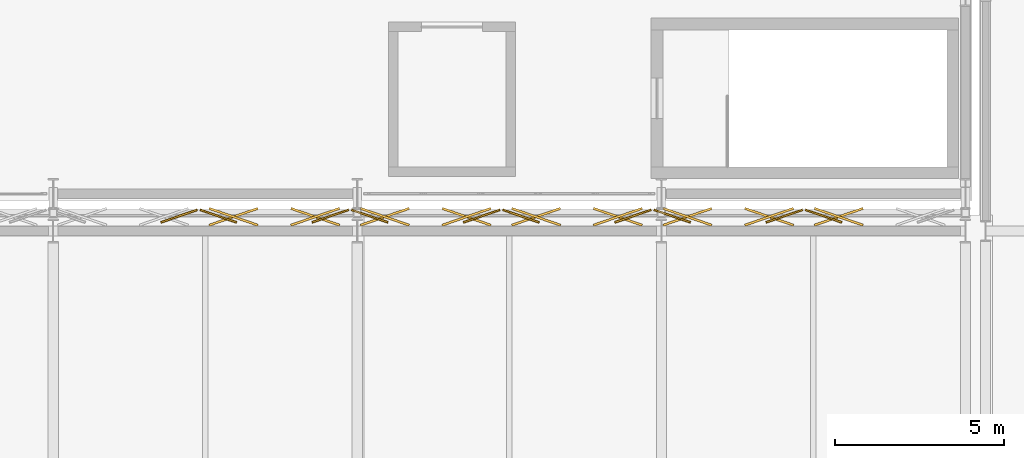
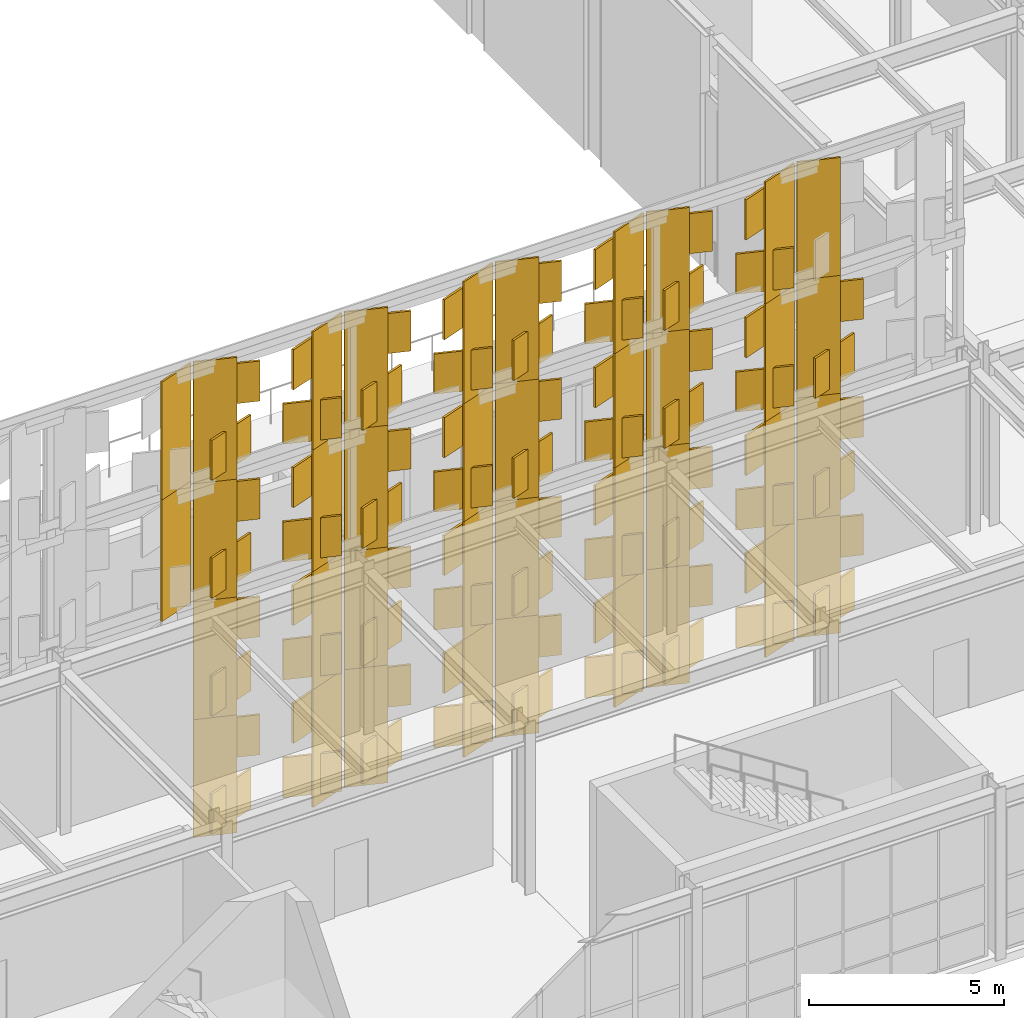
# One storey, part 189 of 210: 108 coverings.
"""IFC4 building model written with IfcOpenShell, lengths in metres."""

from ifc_helpers import new_model, si_unit, direction, frame, origin, origin_2d, place, context, subcontext, project, spatial, rectangle, extrude, material, layer, layer_set, type_object, element, save


model = new_model("IFC4")

# Units and contexts
model_context = context("Model", 3, precision=1e-05, world=origin(), true_north=direction((0.0, 1.0)))
body_context = subcontext(model_context, "Body", "Model", "MODEL_VIEW")
ifc_project = project(units=[si_unit("LENGTHUNIT", "METRE"), si_unit("AREAUNIT", "SQUARE_METRE"), si_unit("VOLUMEUNIT", "CUBIC_METRE"), si_unit("PLANEANGLEUNIT", "RADIAN"), si_unit("MASSUNIT", "GRAM", prefix="KILO")], contexts=[model_context])

# Site, building, storey
site_placement = place(None, origin())
site = spatial("IfcSite", under=ifc_project, at=site_placement, CompositionType="ELEMENT")
building_placement = place(site_placement, origin())
building = spatial("IfcBuilding", under=site, at=building_placement, Name="Kaldris Quays Convention Centre", CompositionType="ELEMENT")
storey_placement = place(building_placement, frame((0.0, 0.0, 6.0)))
storey = spatial("IfcBuildingStorey", under=building, at=storey_placement, Name="L01", CompositionType="ELEMENT", Elevation=6.0)

# Coverings
ifc_material = material(Name="Alabaster white star-pierced anodized aluminium panel", Category="aluminium")
ifc_layer = layer(ifc_material, 0.044921875)
ifc_layer_set = layer_set([ifc_layer], Name="Alabaster white star-pierced anodized aluminium panel")
covering_type = type_object("IfcCoveringType", Name="STAR PIERCED WHITE FOLDED SCREEN CL01", PredefinedType="CLADDING", material=ifc_layer_set)
for number, where, z_axis, x_axis, name in (
    (1, (122.724853515625, 55.340087890625, 5.18994140625), (0.0, 0.0, 1.0), (0.945518575599, 0.325568154457, 0.0), "V1S Folded White Screen Stile 1621"),
    (2, (122.724853515625, 55.340087890625, 8.89013671875), (0.0, 0.0, 1.0), (0.945518575599, 0.325568154457, 0.0), "V1S Folded White Screen Stile 1627"),
    (3, (123.889404296875, 55.340087890625, -2.2099609375), (0.0, 0.0, 1.0), (0.945518575599, -0.325568154457, 0.0), "V1S Folded White Screen Stile 1632"),
    (4, (127.20361328125, 55.340087890625, -2.2099609375), (0.0, 0.0, 1.0), (0.945518575599, 0.325568154457, 0.0), "V1S Folded White Screen Stile 1633"),
):
    element("IfcCovering", number, at=place(storey_placement, frame(where, z_axis=z_axis, x_axis=x_axis)), inside=storey, type_object=covering_type, Name=name, PredefinedType="CLADDING", context=body_context, shape_type="SweptSolid", body=[
        extrude(rectangle(XDim=1.136962890625, YDim=0.054931640625, at=origin_2d()), origin(), (0.0, 0.0, 1.0), 3.820068359375),
    ])
for number, where, z_axis, x_axis, name in (
    (5, (124.337158203125, 55.320068359375, -1.92822265625), (0.0, 0.0, 1.0), (0.945518575599, 0.325568154457, 0.0), "V1S Carved Star Corner Facet 1634"),
    (6, (124.337158203125, 55.320068359375, 0.06982421875), (0.0, 0.0, 1.0), (0.945518575599, -0.325568154457, 0.0), "V1S Carved Star Corner Facet 1635"),
    (7, (126.755615234375, 55.320068359375, -1.92822265625), (0.0, 0.0, 1.0), (0.945518575599, -0.325568154457, 0.0), "V1S Carved Star Corner Facet 1636"),
    (8, (126.755615234375, 55.320068359375, 0.06982421875), (0.0, 0.0, 1.0), (0.945518575599, 0.325568154457, 0.0), "V1S Carved Star Corner Facet 1637"),
):
    element("IfcCovering", number, at=place(storey_placement, frame(where, z_axis=z_axis, x_axis=x_axis)), inside=storey, type_object=covering_type, Name=name, PredefinedType="CLADDING", context=body_context, shape_type="SweptSolid", body=[
        extrude(rectangle(XDim=1.52294921875, YDim=0.06494140625, at=origin_2d()), origin(), (0.0, 0.0, 1.0), 1.258056640625),
    ])
for number, where, z_axis, x_axis, name in (
    (9, (123.889404296875, 55.340087890625, 1.48974609375), (0.0, 0.0, 1.0), (0.945518575599, -0.325568154457, 0.0), "V1S Folded White Screen Stile 1638"),
    (10, (127.20361328125, 55.340087890625, 1.48974609375), (0.0, 0.0, 1.0), (0.945518575599, 0.325568154457, 0.0), "V1S Folded White Screen Stile 1639"),
):
    element("IfcCovering", number, at=place(storey_placement, frame(where, z_axis=z_axis, x_axis=x_axis)), inside=storey, type_object=covering_type, Name=name, PredefinedType="CLADDING", context=body_context, shape_type="SweptSolid", body=[
        extrude(rectangle(XDim=1.136962890625, YDim=0.054931640625, at=origin_2d()), origin(), (0.0, 0.0, 1.0), 3.820068359375),
    ])
for number, where, z_axis, x_axis, name in (
    (11, (124.337158203125, 55.320068359375, 1.77197265625), (0.0, 0.0, 1.0), (0.945518575599, 0.325568154457, 0.0), "V1S Carved Star Corner Facet 1640"),
    (12, (124.337158203125, 55.320068359375, 3.77001953125), (0.0, 0.0, 1.0), (0.945518575599, -0.325568154457, 0.0), "V1S Carved Star Corner Facet 1641"),
    (13, (126.755615234375, 55.320068359375, 1.77197265625), (0.0, 0.0, 1.0), (0.945518575599, -0.325568154457, 0.0), "V1S Carved Star Corner Facet 1642"),
    (14, (126.755615234375, 55.320068359375, 3.77001953125), (0.0, 0.0, 1.0), (0.945518575599, 0.325568154457, 0.0), "V1S Carved Star Corner Facet 1643"),
):
    element("IfcCovering", number, at=place(storey_placement, frame(where, z_axis=z_axis, x_axis=x_axis)), inside=storey, type_object=covering_type, Name=name, PredefinedType="CLADDING", context=body_context, shape_type="SweptSolid", body=[
        extrude(rectangle(XDim=1.52294921875, YDim=0.06494140625, at=origin_2d()), origin(), (0.0, 0.0, 1.0), 1.258056640625),
    ])
for number, where, z_axis, x_axis, name in (
    (15, (123.889404296875, 55.340087890625, 5.18994140625), (0.0, 0.0, 1.0), (0.945518575599, -0.325568154457, 0.0), "V1S Folded White Screen Stile 1644"),
    (16, (127.20361328125, 55.340087890625, 5.18994140625), (0.0, 0.0, 1.0), (0.945518575599, 0.325568154457, 0.0), "V1S Folded White Screen Stile 1645"),
):
    element("IfcCovering", number, at=place(storey_placement, frame(where, z_axis=z_axis, x_axis=x_axis)), inside=storey, type_object=covering_type, Name=name, PredefinedType="CLADDING", context=body_context, shape_type="SweptSolid", body=[
        extrude(rectangle(XDim=1.136962890625, YDim=0.054931640625, at=origin_2d()), origin(), (0.0, 0.0, 1.0), 3.820068359375),
    ])
for number, where, z_axis, x_axis, name in (
    (17, (124.337158203125, 55.320068359375, 5.47216796875), (0.0, 0.0, 1.0), (0.945518575599, 0.325568154457, 0.0), "V1S Carved Star Corner Facet 1646"),
    (18, (124.337158203125, 55.320068359375, 7.47021484375), (0.0, 0.0, 1.0), (0.945518575599, -0.325568154457, 0.0), "V1S Carved Star Corner Facet 1647"),
    (19, (126.755615234375, 55.320068359375, 5.47216796875), (0.0, 0.0, 1.0), (0.945518575599, -0.325568154457, 0.0), "V1S Carved Star Corner Facet 1648"),
    (20, (126.755615234375, 55.320068359375, 7.47021484375), (0.0, 0.0, 1.0), (0.945518575599, 0.325568154457, 0.0), "V1S Carved Star Corner Facet 1649"),
):
    element("IfcCovering", number, at=place(storey_placement, frame(where, z_axis=z_axis, x_axis=x_axis)), inside=storey, type_object=covering_type, Name=name, PredefinedType="CLADDING", context=body_context, shape_type="SweptSolid", body=[
        extrude(rectangle(XDim=1.52294921875, YDim=0.06494140625, at=origin_2d()), origin(), (0.0, 0.0, 1.0), 1.258056640625),
    ])
for number, where, z_axis, x_axis, name in (
    (21, (123.889404296875, 55.340087890625, 8.89013671875), (0.0, 0.0, 1.0), (0.945518575599, -0.325568154457, 0.0), "V1S Folded White Screen Stile 1650"),
    (22, (127.20361328125, 55.340087890625, 8.89013671875), (0.0, 0.0, 1.0), (0.945518575599, 0.325568154457, 0.0), "V1S Folded White Screen Stile 1651"),
):
    element("IfcCovering", number, at=place(storey_placement, frame(where, z_axis=z_axis, x_axis=x_axis)), inside=storey, type_object=covering_type, Name=name, PredefinedType="CLADDING", context=body_context, shape_type="SweptSolid", body=[
        extrude(rectangle(XDim=1.136962890625, YDim=0.054931640625, at=origin_2d()), origin(), (0.0, 0.0, 1.0), 3.820068359375),
    ])
for number, where, z_axis, x_axis, name in (
    (23, (124.337158203125, 55.320068359375, 9.171875), (0.0, 0.0, 1.0), (0.945518575599, 0.325568154457, 0.0), "V1S Carved Star Corner Facet 1652"),
    (24, (124.337158203125, 55.320068359375, 11.169921875), (0.0, 0.0, 1.0), (0.945518575599, -0.325568154457, 0.0), "V1S Carved Star Corner Facet 1653"),
    (25, (126.755615234375, 55.320068359375, 9.171875), (0.0, 0.0, 1.0), (0.945518575599, -0.325568154457, 0.0), "V1S Carved Star Corner Facet 1654"),
    (26, (126.755615234375, 55.320068359375, 11.169921875), (0.0, 0.0, 1.0), (0.945518575599, 0.325568154457, 0.0), "V1S Carved Star Corner Facet 1655"),
):
    element("IfcCovering", number, at=place(storey_placement, frame(where, z_axis=z_axis, x_axis=x_axis)), inside=storey, type_object=covering_type, Name=name, PredefinedType="CLADDING", context=body_context, shape_type="SweptSolid", body=[
        extrude(rectangle(XDim=1.52294921875, YDim=0.06494140625, at=origin_2d()), origin(), (0.0, 0.0, 1.0), 1.258056640625),
    ])
for number, where, z_axis, x_axis, name in (
    (27, (128.367919921875, 55.340087890625, -2.2099609375), (0.0, 0.0, 1.0), (0.945518575599, -0.325568154457, 0.0), "V1S Folded White Screen Stile 1656"),
    (28, (131.68212890625, 55.340087890625, -2.2099609375), (0.0, 0.0, 1.0), (0.945518575599, 0.325568154457, 0.0), "V1S Folded White Screen Stile 1657"),
):
    element("IfcCovering", number, at=place(storey_placement, frame(where, z_axis=z_axis, x_axis=x_axis)), inside=storey, type_object=covering_type, Name=name, PredefinedType="CLADDING", context=body_context, shape_type="SweptSolid", body=[
        extrude(rectangle(XDim=1.136962890625, YDim=0.054931640625, at=origin_2d()), origin(), (0.0, 0.0, 1.0), 3.820068359375),
    ])
for number, where, z_axis, x_axis, name in (
    (29, (128.81591796875, 55.320068359375, -1.92822265625), (0.0, 0.0, 1.0), (0.945518575599, 0.325568154457, 0.0), "V1S Carved Star Corner Facet 1658"),
    (30, (128.81591796875, 55.320068359375, 0.06982421875), (0.0, 0.0, 1.0), (0.945518575599, -0.325568154457, 0.0), "V1S Carved Star Corner Facet 1659"),
    (31, (131.234130859375, 55.320068359375, -1.92822265625), (0.0, 0.0, 1.0), (0.945518575599, -0.325568154457, 0.0), "V1S Carved Star Corner Facet 1660"),
    (32, (131.234130859375, 55.320068359375, 0.06982421875), (0.0, 0.0, 1.0), (0.945518575599, 0.325568154457, 0.0), "V1S Carved Star Corner Facet 1661"),
):
    element("IfcCovering", number, at=place(storey_placement, frame(where, z_axis=z_axis, x_axis=x_axis)), inside=storey, type_object=covering_type, Name=name, PredefinedType="CLADDING", context=body_context, shape_type="SweptSolid", body=[
        extrude(rectangle(XDim=1.52294921875, YDim=0.06494140625, at=origin_2d()), origin(), (0.0, 0.0, 1.0), 1.258056640625),
    ])
for number, where, z_axis, x_axis, name in (
    (33, (128.367919921875, 55.340087890625, 1.48974609375), (0.0, 0.0, 1.0), (0.945518575599, -0.325568154457, 0.0), "V1S Folded White Screen Stile 1662"),
    (34, (131.68212890625, 55.340087890625, 1.48974609375), (0.0, 0.0, 1.0), (0.945518575599, 0.325568154457, 0.0), "V1S Folded White Screen Stile 1663"),
):
    element("IfcCovering", number, at=place(storey_placement, frame(where, z_axis=z_axis, x_axis=x_axis)), inside=storey, type_object=covering_type, Name=name, PredefinedType="CLADDING", context=body_context, shape_type="SweptSolid", body=[
        extrude(rectangle(XDim=1.136962890625, YDim=0.054931640625, at=origin_2d()), origin(), (0.0, 0.0, 1.0), 3.820068359375),
    ])
for number, where, z_axis, x_axis, name in (
    (35, (128.81591796875, 55.320068359375, 1.77197265625), (0.0, 0.0, 1.0), (0.945518575599, 0.325568154457, 0.0), "V1S Carved Star Corner Facet 1664"),
    (36, (128.81591796875, 55.320068359375, 3.77001953125), (0.0, 0.0, 1.0), (0.945518575599, -0.325568154457, 0.0), "V1S Carved Star Corner Facet 1665"),
    (37, (131.234130859375, 55.320068359375, 1.77197265625), (0.0, 0.0, 1.0), (0.945518575599, -0.325568154457, 0.0), "V1S Carved Star Corner Facet 1666"),
    (38, (131.234130859375, 55.320068359375, 3.77001953125), (0.0, 0.0, 1.0), (0.945518575599, 0.325568154457, 0.0), "V1S Carved Star Corner Facet 1667"),
):
    element("IfcCovering", number, at=place(storey_placement, frame(where, z_axis=z_axis, x_axis=x_axis)), inside=storey, type_object=covering_type, Name=name, PredefinedType="CLADDING", context=body_context, shape_type="SweptSolid", body=[
        extrude(rectangle(XDim=1.52294921875, YDim=0.06494140625, at=origin_2d()), origin(), (0.0, 0.0, 1.0), 1.258056640625),
    ])
for number, where, z_axis, x_axis, name in (
    (39, (128.367919921875, 55.340087890625, 5.18994140625), (0.0, 0.0, 1.0), (0.945518575599, -0.325568154457, 0.0), "V1S Folded White Screen Stile 1668"),
    (40, (131.68212890625, 55.340087890625, 5.18994140625), (0.0, 0.0, 1.0), (0.945518575599, 0.325568154457, 0.0), "V1S Folded White Screen Stile 1669"),
):
    element("IfcCovering", number, at=place(storey_placement, frame(where, z_axis=z_axis, x_axis=x_axis)), inside=storey, type_object=covering_type, Name=name, PredefinedType="CLADDING", context=body_context, shape_type="SweptSolid", body=[
        extrude(rectangle(XDim=1.136962890625, YDim=0.054931640625, at=origin_2d()), origin(), (0.0, 0.0, 1.0), 3.820068359375),
    ])
for number, where, z_axis, x_axis, name in (
    (41, (128.81591796875, 55.320068359375, 5.47216796875), (0.0, 0.0, 1.0), (0.945518575599, 0.325568154457, 0.0), "V1S Carved Star Corner Facet 1670"),
    (42, (128.81591796875, 55.320068359375, 7.47021484375), (0.0, 0.0, 1.0), (0.945518575599, -0.325568154457, 0.0), "V1S Carved Star Corner Facet 1671"),
    (43, (131.234130859375, 55.320068359375, 5.47216796875), (0.0, 0.0, 1.0), (0.945518575599, -0.325568154457, 0.0), "V1S Carved Star Corner Facet 1672"),
    (44, (131.234130859375, 55.320068359375, 7.47021484375), (0.0, 0.0, 1.0), (0.945518575599, 0.325568154457, 0.0), "V1S Carved Star Corner Facet 1673"),
):
    element("IfcCovering", number, at=place(storey_placement, frame(where, z_axis=z_axis, x_axis=x_axis)), inside=storey, type_object=covering_type, Name=name, PredefinedType="CLADDING", context=body_context, shape_type="SweptSolid", body=[
        extrude(rectangle(XDim=1.52294921875, YDim=0.06494140625, at=origin_2d()), origin(), (0.0, 0.0, 1.0), 1.258056640625),
    ])
for number, where, z_axis, x_axis, name in (
    (45, (128.367919921875, 55.340087890625, 8.89013671875), (0.0, 0.0, 1.0), (0.945518575599, -0.325568154457, 0.0), "V1S Folded White Screen Stile 1674"),
    (46, (131.68212890625, 55.340087890625, 8.89013671875), (0.0, 0.0, 1.0), (0.945518575599, 0.325568154457, 0.0), "V1S Folded White Screen Stile 1675"),
):
    element("IfcCovering", number, at=place(storey_placement, frame(where, z_axis=z_axis, x_axis=x_axis)), inside=storey, type_object=covering_type, Name=name, PredefinedType="CLADDING", context=body_context, shape_type="SweptSolid", body=[
        extrude(rectangle(XDim=1.136962890625, YDim=0.054931640625, at=origin_2d()), origin(), (0.0, 0.0, 1.0), 3.820068359375),
    ])
for number, where, z_axis, x_axis, name in (
    (47, (128.81591796875, 55.320068359375, 9.171875), (0.0, 0.0, 1.0), (0.945518575599, 0.325568154457, 0.0), "V1S Carved Star Corner Facet 1676"),
    (48, (128.81591796875, 55.320068359375, 11.169921875), (0.0, 0.0, 1.0), (0.945518575599, -0.325568154457, 0.0), "V1S Carved Star Corner Facet 1677"),
    (49, (131.234130859375, 55.320068359375, 9.171875), (0.0, 0.0, 1.0), (0.945518575599, -0.325568154457, 0.0), "V1S Carved Star Corner Facet 1678"),
    (50, (131.234130859375, 55.320068359375, 11.169921875), (0.0, 0.0, 1.0), (0.945518575599, 0.325568154457, 0.0), "V1S Carved Star Corner Facet 1679"),
):
    element("IfcCovering", number, at=place(storey_placement, frame(where, z_axis=z_axis, x_axis=x_axis)), inside=storey, type_object=covering_type, Name=name, PredefinedType="CLADDING", context=body_context, shape_type="SweptSolid", body=[
        extrude(rectangle(XDim=1.52294921875, YDim=0.06494140625, at=origin_2d()), origin(), (0.0, 0.0, 1.0), 1.258056640625),
    ])
for number, where, z_axis, x_axis, name in (
    (51, (132.846435546875, 55.340087890625, -2.2099609375), (0.0, 0.0, 1.0), (0.945518575599, -0.325568154457, 0.0), "V1S Folded White Screen Stile 1680"),
    (52, (136.16064453125, 55.340087890625, -2.2099609375), (0.0, 0.0, 1.0), (0.945518575599, 0.325568154457, 0.0), "V1S Folded White Screen Stile 1681"),
):
    element("IfcCovering", number, at=place(storey_placement, frame(where, z_axis=z_axis, x_axis=x_axis)), inside=storey, type_object=covering_type, Name=name, PredefinedType="CLADDING", context=body_context, shape_type="SweptSolid", body=[
        extrude(rectangle(XDim=1.136962890625, YDim=0.054931640625, at=origin_2d()), origin(), (0.0, 0.0, 1.0), 3.820068359375),
    ])
for number, where, z_axis, x_axis, name in (
    (53, (133.29443359375, 55.320068359375, -1.92822265625), (0.0, 0.0, 1.0), (0.945518575599, 0.325568154457, 0.0), "V1S Carved Star Corner Facet 1682"),
    (54, (133.29443359375, 55.320068359375, 0.06982421875), (0.0, 0.0, 1.0), (0.945518575599, -0.325568154457, 0.0), "V1S Carved Star Corner Facet 1683"),
    (55, (135.712890625, 55.320068359375, -1.92822265625), (0.0, 0.0, 1.0), (0.945518575599, -0.325568154457, 0.0), "V1S Carved Star Corner Facet 1684"),
    (56, (135.712890625, 55.320068359375, 0.06982421875), (0.0, 0.0, 1.0), (0.945518575599, 0.325568154457, 0.0), "V1S Carved Star Corner Facet 1685"),
):
    element("IfcCovering", number, at=place(storey_placement, frame(where, z_axis=z_axis, x_axis=x_axis)), inside=storey, type_object=covering_type, Name=name, PredefinedType="CLADDING", context=body_context, shape_type="SweptSolid", body=[
        extrude(rectangle(XDim=1.52294921875, YDim=0.06494140625, at=origin_2d()), origin(), (0.0, 0.0, 1.0), 1.258056640625),
    ])
for number, where, z_axis, x_axis, name in (
    (57, (132.846435546875, 55.340087890625, 1.48974609375), (0.0, 0.0, 1.0), (0.945518575599, -0.325568154457, 0.0), "V1S Folded White Screen Stile 1686"),
    (58, (136.16064453125, 55.340087890625, 1.48974609375), (0.0, 0.0, 1.0), (0.945518575599, 0.325568154457, 0.0), "V1S Folded White Screen Stile 1687"),
):
    element("IfcCovering", number, at=place(storey_placement, frame(where, z_axis=z_axis, x_axis=x_axis)), inside=storey, type_object=covering_type, Name=name, PredefinedType="CLADDING", context=body_context, shape_type="SweptSolid", body=[
        extrude(rectangle(XDim=1.136962890625, YDim=0.054931640625, at=origin_2d()), origin(), (0.0, 0.0, 1.0), 3.820068359375),
    ])
for number, where, z_axis, x_axis, name in (
    (59, (133.29443359375, 55.320068359375, 1.77197265625), (0.0, 0.0, 1.0), (0.945518575599, 0.325568154457, 0.0), "V1S Carved Star Corner Facet 1688"),
    (60, (133.29443359375, 55.320068359375, 3.77001953125), (0.0, 0.0, 1.0), (0.945518575599, -0.325568154457, 0.0), "V1S Carved Star Corner Facet 1689"),
    (61, (135.712890625, 55.320068359375, 1.77197265625), (0.0, 0.0, 1.0), (0.945518575599, -0.325568154457, 0.0), "V1S Carved Star Corner Facet 1690"),
    (62, (135.712890625, 55.320068359375, 3.77001953125), (0.0, 0.0, 1.0), (0.945518575599, 0.325568154457, 0.0), "V1S Carved Star Corner Facet 1691"),
):
    element("IfcCovering", number, at=place(storey_placement, frame(where, z_axis=z_axis, x_axis=x_axis)), inside=storey, type_object=covering_type, Name=name, PredefinedType="CLADDING", context=body_context, shape_type="SweptSolid", body=[
        extrude(rectangle(XDim=1.52294921875, YDim=0.06494140625, at=origin_2d()), origin(), (0.0, 0.0, 1.0), 1.258056640625),
    ])
for number, where, z_axis, x_axis, name in (
    (63, (132.846435546875, 55.340087890625, 5.18994140625), (0.0, 0.0, 1.0), (0.945518575599, -0.325568154457, 0.0), "V1S Folded White Screen Stile 1692"),
    (64, (136.16064453125, 55.340087890625, 5.18994140625), (0.0, 0.0, 1.0), (0.945518575599, 0.325568154457, 0.0), "V1S Folded White Screen Stile 1693"),
):
    element("IfcCovering", number, at=place(storey_placement, frame(where, z_axis=z_axis, x_axis=x_axis)), inside=storey, type_object=covering_type, Name=name, PredefinedType="CLADDING", context=body_context, shape_type="SweptSolid", body=[
        extrude(rectangle(XDim=1.136962890625, YDim=0.054931640625, at=origin_2d()), origin(), (0.0, 0.0, 1.0), 3.820068359375),
    ])
for number, where, z_axis, x_axis, name in (
    (65, (133.29443359375, 55.320068359375, 5.47216796875), (0.0, 0.0, 1.0), (0.945518575599, 0.325568154457, 0.0), "V1S Carved Star Corner Facet 1694"),
    (66, (133.29443359375, 55.320068359375, 7.47021484375), (0.0, 0.0, 1.0), (0.945518575599, -0.325568154457, 0.0), "V1S Carved Star Corner Facet 1695"),
    (67, (135.712890625, 55.320068359375, 5.47216796875), (0.0, 0.0, 1.0), (0.945518575599, -0.325568154457, 0.0), "V1S Carved Star Corner Facet 1696"),
    (68, (135.712890625, 55.320068359375, 7.47021484375), (0.0, 0.0, 1.0), (0.945518575599, 0.325568154457, 0.0), "V1S Carved Star Corner Facet 1697"),
):
    element("IfcCovering", number, at=place(storey_placement, frame(where, z_axis=z_axis, x_axis=x_axis)), inside=storey, type_object=covering_type, Name=name, PredefinedType="CLADDING", context=body_context, shape_type="SweptSolid", body=[
        extrude(rectangle(XDim=1.52294921875, YDim=0.06494140625, at=origin_2d()), origin(), (0.0, 0.0, 1.0), 1.258056640625),
    ])
for number, where, z_axis, x_axis, name in (
    (69, (132.846435546875, 55.340087890625, 8.89013671875), (0.0, 0.0, 1.0), (0.945518575599, -0.325568154457, 0.0), "V1S Folded White Screen Stile 1698"),
    (70, (136.16064453125, 55.340087890625, 8.89013671875), (0.0, 0.0, 1.0), (0.945518575599, 0.325568154457, 0.0), "V1S Folded White Screen Stile 1699"),
):
    element("IfcCovering", number, at=place(storey_placement, frame(where, z_axis=z_axis, x_axis=x_axis)), inside=storey, type_object=covering_type, Name=name, PredefinedType="CLADDING", context=body_context, shape_type="SweptSolid", body=[
        extrude(rectangle(XDim=1.136962890625, YDim=0.054931640625, at=origin_2d()), origin(), (0.0, 0.0, 1.0), 3.820068359375),
    ])
for number, where, z_axis, x_axis, name in (
    (71, (133.29443359375, 55.320068359375, 9.171875), (0.0, 0.0, 1.0), (0.945518575599, 0.325568154457, 0.0), "V1S Carved Star Corner Facet 1700"),
    (72, (133.29443359375, 55.320068359375, 11.169921875), (0.0, 0.0, 1.0), (0.945518575599, -0.325568154457, 0.0), "V1S Carved Star Corner Facet 1701"),
    (73, (135.712890625, 55.320068359375, 9.171875), (0.0, 0.0, 1.0), (0.945518575599, -0.325568154457, 0.0), "V1S Carved Star Corner Facet 1702"),
    (74, (135.712890625, 55.320068359375, 11.169921875), (0.0, 0.0, 1.0), (0.945518575599, 0.325568154457, 0.0), "V1S Carved Star Corner Facet 1703"),
):
    element("IfcCovering", number, at=place(storey_placement, frame(where, z_axis=z_axis, x_axis=x_axis)), inside=storey, type_object=covering_type, Name=name, PredefinedType="CLADDING", context=body_context, shape_type="SweptSolid", body=[
        extrude(rectangle(XDim=1.52294921875, YDim=0.06494140625, at=origin_2d()), origin(), (0.0, 0.0, 1.0), 1.258056640625),
    ])
for number, where, z_axis, x_axis, name in (
    (75, (137.3251953125, 55.340087890625, -2.2099609375), (0.0, 0.0, 1.0), (0.945518575599, -0.325568154457, 0.0), "V1S Folded White Screen Stile 1704"),
    (76, (140.63916015625, 55.340087890625, -2.2099609375), (0.0, 0.0, 1.0), (0.945518575599, 0.325568154457, 0.0), "V1S Folded White Screen Stile 1705"),
):
    element("IfcCovering", number, at=place(storey_placement, frame(where, z_axis=z_axis, x_axis=x_axis)), inside=storey, type_object=covering_type, Name=name, PredefinedType="CLADDING", context=body_context, shape_type="SweptSolid", body=[
        extrude(rectangle(XDim=1.136962890625, YDim=0.054931640625, at=origin_2d()), origin(), (0.0, 0.0, 1.0), 3.820068359375),
    ])
for number, where, z_axis, x_axis, name in (
    (77, (137.77294921875, 55.320068359375, -1.92822265625), (0.0, 0.0, 1.0), (0.945518575599, 0.325568154457, 0.0), "V1S Carved Star Corner Facet 1706"),
    (78, (137.77294921875, 55.320068359375, 0.06982421875), (0.0, 0.0, 1.0), (0.945518575599, -0.325568154457, 0.0), "V1S Carved Star Corner Facet 1707"),
    (79, (140.19140625, 55.320068359375, -1.92822265625), (0.0, 0.0, 1.0), (0.945518575599, -0.325568154457, 0.0), "V1S Carved Star Corner Facet 1708"),
    (80, (140.19140625, 55.320068359375, 0.06982421875), (0.0, 0.0, 1.0), (0.945518575599, 0.325568154457, 0.0), "V1S Carved Star Corner Facet 1709"),
):
    element("IfcCovering", number, at=place(storey_placement, frame(where, z_axis=z_axis, x_axis=x_axis)), inside=storey, type_object=covering_type, Name=name, PredefinedType="CLADDING", context=body_context, shape_type="SweptSolid", body=[
        extrude(rectangle(XDim=1.52294921875, YDim=0.06494140625, at=origin_2d()), origin(), (0.0, 0.0, 1.0), 1.258056640625),
    ])
for number, where, z_axis, x_axis, name in (
    (81, (137.3251953125, 55.340087890625, 1.48974609375), (0.0, 0.0, 1.0), (0.945518575599, -0.325568154457, 0.0), "V1S Folded White Screen Stile 1710"),
    (82, (140.63916015625, 55.340087890625, 1.48974609375), (0.0, 0.0, 1.0), (0.945518575599, 0.325568154457, 0.0), "V1S Folded White Screen Stile 1711"),
):
    element("IfcCovering", number, at=place(storey_placement, frame(where, z_axis=z_axis, x_axis=x_axis)), inside=storey, type_object=covering_type, Name=name, PredefinedType="CLADDING", context=body_context, shape_type="SweptSolid", body=[
        extrude(rectangle(XDim=1.136962890625, YDim=0.054931640625, at=origin_2d()), origin(), (0.0, 0.0, 1.0), 3.820068359375),
    ])
for number, where, z_axis, x_axis, name in (
    (83, (137.77294921875, 55.320068359375, 1.77197265625), (0.0, 0.0, 1.0), (0.945518575599, 0.325568154457, 0.0), "V1S Carved Star Corner Facet 1712"),
    (84, (137.77294921875, 55.320068359375, 3.77001953125), (0.0, 0.0, 1.0), (0.945518575599, -0.325568154457, 0.0), "V1S Carved Star Corner Facet 1713"),
    (85, (140.19140625, 55.320068359375, 1.77197265625), (0.0, 0.0, 1.0), (0.945518575599, -0.325568154457, 0.0), "V1S Carved Star Corner Facet 1714"),
    (86, (140.19140625, 55.320068359375, 3.77001953125), (0.0, 0.0, 1.0), (0.945518575599, 0.325568154457, 0.0), "V1S Carved Star Corner Facet 1715"),
):
    element("IfcCovering", number, at=place(storey_placement, frame(where, z_axis=z_axis, x_axis=x_axis)), inside=storey, type_object=covering_type, Name=name, PredefinedType="CLADDING", context=body_context, shape_type="SweptSolid", body=[
        extrude(rectangle(XDim=1.52294921875, YDim=0.06494140625, at=origin_2d()), origin(), (0.0, 0.0, 1.0), 1.258056640625),
    ])
for number, where, z_axis, x_axis, name in (
    (87, (137.3251953125, 55.340087890625, 5.18994140625), (0.0, 0.0, 1.0), (0.945518575599, -0.325568154457, 0.0), "V1S Folded White Screen Stile 1716"),
    (88, (140.63916015625, 55.340087890625, 5.18994140625), (0.0, 0.0, 1.0), (0.945518575599, 0.325568154457, 0.0), "V1S Folded White Screen Stile 1717"),
):
    element("IfcCovering", number, at=place(storey_placement, frame(where, z_axis=z_axis, x_axis=x_axis)), inside=storey, type_object=covering_type, Name=name, PredefinedType="CLADDING", context=body_context, shape_type="SweptSolid", body=[
        extrude(rectangle(XDim=1.136962890625, YDim=0.054931640625, at=origin_2d()), origin(), (0.0, 0.0, 1.0), 3.820068359375),
    ])
for number, where, z_axis, x_axis, name in (
    (89, (137.77294921875, 55.320068359375, 5.47216796875), (0.0, 0.0, 1.0), (0.945518575599, 0.325568154457, 0.0), "V1S Carved Star Corner Facet 1718"),
    (90, (137.77294921875, 55.320068359375, 7.47021484375), (0.0, 0.0, 1.0), (0.945518575599, -0.325568154457, 0.0), "V1S Carved Star Corner Facet 1719"),
    (91, (140.19140625, 55.320068359375, 5.47216796875), (0.0, 0.0, 1.0), (0.945518575599, -0.325568154457, 0.0), "V1S Carved Star Corner Facet 1720"),
    (92, (140.19140625, 55.320068359375, 7.47021484375), (0.0, 0.0, 1.0), (0.945518575599, 0.325568154457, 0.0), "V1S Carved Star Corner Facet 1721"),
):
    element("IfcCovering", number, at=place(storey_placement, frame(where, z_axis=z_axis, x_axis=x_axis)), inside=storey, type_object=covering_type, Name=name, PredefinedType="CLADDING", context=body_context, shape_type="SweptSolid", body=[
        extrude(rectangle(XDim=1.52294921875, YDim=0.06494140625, at=origin_2d()), origin(), (0.0, 0.0, 1.0), 1.258056640625),
    ])
for number, where, z_axis, x_axis, name in (
    (93, (137.3251953125, 55.340087890625, 8.89013671875), (0.0, 0.0, 1.0), (0.945518575599, -0.325568154457, 0.0), "V1S Folded White Screen Stile 1722"),
    (94, (140.63916015625, 55.340087890625, 8.89013671875), (0.0, 0.0, 1.0), (0.945518575599, 0.325568154457, 0.0), "V1S Folded White Screen Stile 1723"),
):
    element("IfcCovering", number, at=place(storey_placement, frame(where, z_axis=z_axis, x_axis=x_axis)), inside=storey, type_object=covering_type, Name=name, PredefinedType="CLADDING", context=body_context, shape_type="SweptSolid", body=[
        extrude(rectangle(XDim=1.136962890625, YDim=0.054931640625, at=origin_2d()), origin(), (0.0, 0.0, 1.0), 3.820068359375),
    ])
for number, where, z_axis, x_axis, name in (
    (95, (137.77294921875, 55.320068359375, 9.171875), (0.0, 0.0, 1.0), (0.945518575599, 0.325568154457, 0.0), "V1S Carved Star Corner Facet 1724"),
    (96, (137.77294921875, 55.320068359375, 11.169921875), (0.0, 0.0, 1.0), (0.945518575599, -0.325568154457, 0.0), "V1S Carved Star Corner Facet 1725"),
    (97, (140.19140625, 55.320068359375, 9.171875), (0.0, 0.0, 1.0), (0.945518575599, -0.325568154457, 0.0), "V1S Carved Star Corner Facet 1726"),
    (98, (140.19140625, 55.320068359375, 11.169921875), (0.0, 0.0, 1.0), (0.945518575599, 0.325568154457, 0.0), "V1S Carved Star Corner Facet 1727"),
):
    element("IfcCovering", number, at=place(storey_placement, frame(where, z_axis=z_axis, x_axis=x_axis)), inside=storey, type_object=covering_type, Name=name, PredefinedType="CLADDING", context=body_context, shape_type="SweptSolid", body=[
        extrude(rectangle(XDim=1.52294921875, YDim=0.06494140625, at=origin_2d()), origin(), (0.0, 0.0, 1.0), 1.258056640625),
    ])
covering_1_placement = place(storey_placement, frame((141.8037109375, 55.340087890625, -2.2099609375), z_axis=(0.0, 0.0, 1.0), x_axis=(0.945518575599, -0.325568154457, 0.0)))
element("IfcCovering", 99, at=covering_1_placement, inside=storey, type_object=covering_type, Name="V1S Folded White Screen Stile 1728", PredefinedType="CLADDING", context=body_context, shape_type="SweptSolid", body=[
    extrude(rectangle(XDim=1.136962890625, YDim=0.054931640625, at=origin_2d()), origin(), (0.0, 0.0, 1.0), 3.820068359375),
])
for number, where, z_axis, x_axis, name in (
    (100, (142.25146484375, 55.320068359375, -1.92822265625), (0.0, 0.0, 1.0), (0.945518575599, 0.325568154457, 0.0), "V1S Carved Star Corner Facet 1730"),
    (101, (142.25146484375, 55.320068359375, 0.06982421875), (0.0, 0.0, 1.0), (0.945518575599, -0.325568154457, 0.0), "V1S Carved Star Corner Facet 1731"),
):
    element("IfcCovering", number, at=place(storey_placement, frame(where, z_axis=z_axis, x_axis=x_axis)), inside=storey, type_object=covering_type, Name=name, PredefinedType="CLADDING", context=body_context, shape_type="SweptSolid", body=[
        extrude(rectangle(XDim=1.52294921875, YDim=0.06494140625, at=origin_2d()), origin(), (0.0, 0.0, 1.0), 1.258056640625),
    ])
covering_2_placement = place(storey_placement, frame((141.8037109375, 55.340087890625, 1.48974609375), z_axis=(0.0, 0.0, 1.0), x_axis=(0.945518575599, -0.325568154457, 0.0)))
element("IfcCovering", 102, at=covering_2_placement, inside=storey, type_object=covering_type, Name="V1S Folded White Screen Stile 1734", PredefinedType="CLADDING", context=body_context, shape_type="SweptSolid", body=[
    extrude(rectangle(XDim=1.136962890625, YDim=0.054931640625, at=origin_2d()), origin(), (0.0, 0.0, 1.0), 3.820068359375),
])
for number, where, z_axis, x_axis, name in (
    (103, (142.25146484375, 55.320068359375, 1.77197265625), (0.0, 0.0, 1.0), (0.945518575599, 0.325568154457, 0.0), "V1S Carved Star Corner Facet 1736"),
    (104, (142.25146484375, 55.320068359375, 3.77001953125), (0.0, 0.0, 1.0), (0.945518575599, -0.325568154457, 0.0), "V1S Carved Star Corner Facet 1737"),
):
    element("IfcCovering", number, at=place(storey_placement, frame(where, z_axis=z_axis, x_axis=x_axis)), inside=storey, type_object=covering_type, Name=name, PredefinedType="CLADDING", context=body_context, shape_type="SweptSolid", body=[
        extrude(rectangle(XDim=1.52294921875, YDim=0.06494140625, at=origin_2d()), origin(), (0.0, 0.0, 1.0), 1.258056640625),
    ])
covering_3_placement = place(storey_placement, frame((141.8037109375, 55.340087890625, 5.18994140625), z_axis=(0.0, 0.0, 1.0), x_axis=(0.945518575599, -0.325568154457, 0.0)))
element("IfcCovering", 105, at=covering_3_placement, inside=storey, type_object=covering_type, Name="V1S Folded White Screen Stile 1740", PredefinedType="CLADDING", context=body_context, shape_type="SweptSolid", body=[
    extrude(rectangle(XDim=1.136962890625, YDim=0.054931640625, at=origin_2d()), origin(), (0.0, 0.0, 1.0), 3.820068359375),
])
for number, where, z_axis, x_axis, name in (
    (106, (142.25146484375, 55.320068359375, 5.47216796875), (0.0, 0.0, 1.0), (0.945518575599, 0.325568154457, 0.0), "V1S Carved Star Corner Facet 1742"),
    (107, (142.25146484375, 55.320068359375, 7.47021484375), (0.0, 0.0, 1.0), (0.945518575599, -0.325568154457, 0.0), "V1S Carved Star Corner Facet 1743"),
):
    element("IfcCovering", number, at=place(storey_placement, frame(where, z_axis=z_axis, x_axis=x_axis)), inside=storey, type_object=covering_type, Name=name, PredefinedType="CLADDING", context=body_context, shape_type="SweptSolid", body=[
        extrude(rectangle(XDim=1.52294921875, YDim=0.06494140625, at=origin_2d()), origin(), (0.0, 0.0, 1.0), 1.258056640625),
    ])
covering_4_placement = place(storey_placement, frame((141.8037109375, 55.340087890625, 8.89013671875), z_axis=(0.0, 0.0, 1.0), x_axis=(0.945518575599, -0.325568154457, 0.0)))
element("IfcCovering", 108, at=covering_4_placement, inside=storey, type_object=covering_type, Name="V1S Folded White Screen Stile 1746", PredefinedType="CLADDING", context=body_context, shape_type="SweptSolid", body=[
    extrude(rectangle(XDim=1.136962890625, YDim=0.054931640625, at=origin_2d()), origin(), (0.0, 0.0, 1.0), 3.820068359375),
])

save(model, "model.ifc")
